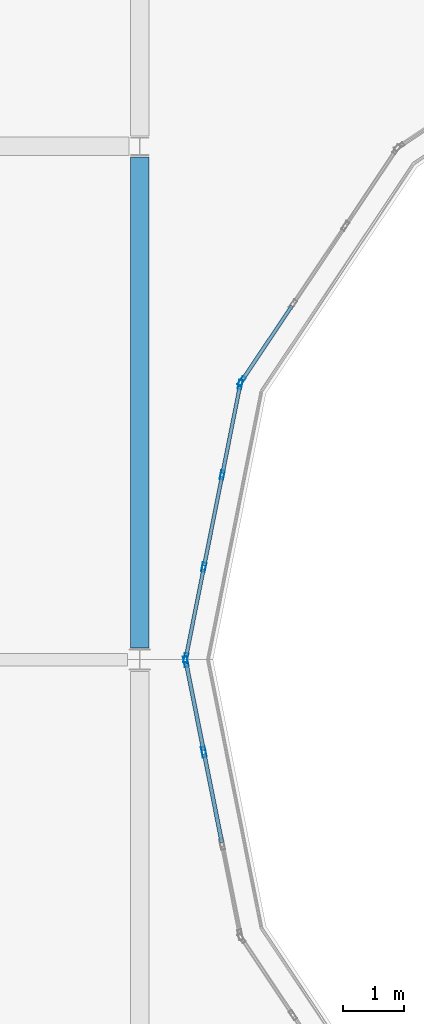
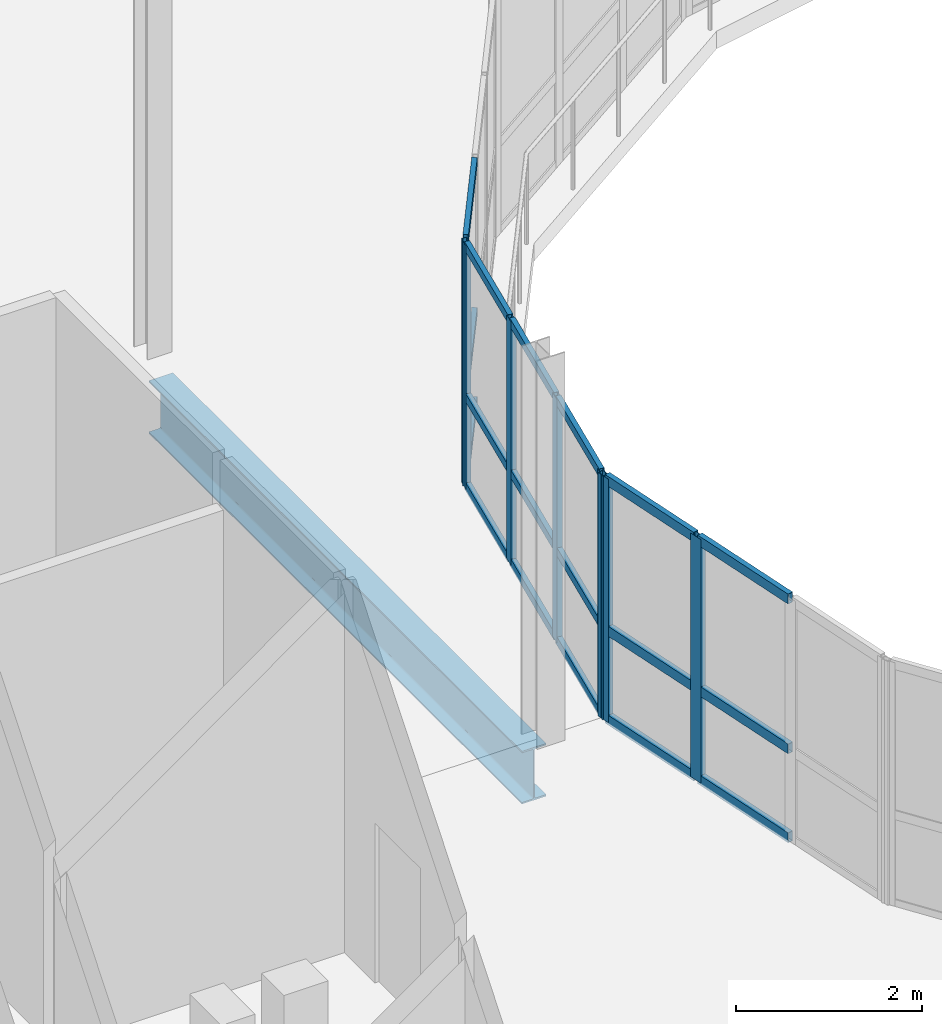
# One storey, part 19 of 91: 25 members, 1 beam, 3 elements without a shape of their own.
"""IFC4 building model written with IfcOpenShell, lengths in metres."""

from ifc_helpers import new_model, si_unit, direction, frame, origin, origin_2d, place, context, subcontext, project, spatial, hollow_rectangle, i_section, extrude, material, layer, layer_set, material_profile, profile_set, type_object, element, aggregate, save


model = new_model("IFC4")

# Units and contexts
model_context = context("Model", 3, precision=1e-05, world=origin(), true_north=direction((0.0, 1.0)))
body_context = subcontext(model_context, "Body", "Model", "MODEL_VIEW")
ifc_project = project(units=[si_unit("LENGTHUNIT", "METRE"), si_unit("AREAUNIT", "SQUARE_METRE"), si_unit("VOLUMEUNIT", "CUBIC_METRE"), si_unit("PLANEANGLEUNIT", "RADIAN"), si_unit("MASSUNIT", "GRAM", prefix="KILO"), si_unit("THERMODYNAMICTEMPERATUREUNIT", "KELVIN")], contexts=[model_context])

# Site, building, storey
site_placement = place(None, origin())
site = spatial("IfcSite", under=ifc_project, at=site_placement, CompositionType="ELEMENT")
building_placement = place(site_placement, origin())
building = spatial("IfcBuilding", under=site, at=building_placement, Name="Lustrewick Department Store", CompositionType="ELEMENT")
storey_placement = place(building_placement, frame((0.0, 0.0, 21.60009765625)))
storey = spatial("IfcBuildingStorey", under=building, at=storey_placement, Name="L05", CompositionType="ELEMENT", Elevation=21.60009765625)

# Curtain wall, members
ifc_material_1 = material(Name="Thermally broken aluminium 6063-T5", Category="aluminium")
ifc_layer_1 = layer(ifc_material_1, 0.169921875, Name="Thermally broken aluminium 6063-T5")
ifc_layer_set_1 = layer_set([ifc_layer_1], Name="Thermally broken aluminium 6063-T5")
curtain_wall_type_1 = type_object("IfcCurtainWallType", Name="CW16", PredefinedType="NOTDEFINED", material=ifc_layer_set_1)
curtain_wall_1_placement = place(storey_placement, origin())
curtain_wall_1 = element("IfcCurtainWall", 1, at=curtain_wall_1_placement, inside=storey, type_object=curtain_wall_type_1, Name="L05 Atrium Glazed Screen CW16", PredefinedType="NOTDEFINED")
ifc_material_profile_1 = material_profile(ifc_material_1, hollow_rectangle(XDim=0.06494140625, YDim=0.169921875, WallThickness=0.00390625, at=origin_2d()), Name="ALU-M 65x170x4")
ifc_profile_set_1 = profile_set([ifc_material_profile_1], Name="Thermally broken aluminium 6063-T5")
member_type_1 = type_object("IfcMemberType", Name="CW16-M1", PredefinedType="MULLION", material=ifc_profile_set_1)
member_1_placement = place(storey_placement, frame((17.556396484375, 67.168212890625, 0.0), z_axis=(0.0, 0.0, 1.0), x_axis=(0.980786430993, 0.195084537521, 0.0)))
member_1 = element("IfcMember", 2, at=member_1_placement, type_object=member_type_1, Name="CW16 mullion 1", PredefinedType="MULLION", context=body_context, shape_type="SweptSolid", body=[
    extrude(hollow_rectangle(XDim=0.06494140625, YDim=0.169921875, WallThickness=0.00390625, at=origin_2d()), origin(), (0.0, 0.0, 1.0), 3.199951171875),
])
member_2_placement = place(storey_placement, frame((17.8505859375, 65.6884765625, 0.0), z_axis=(0.0, 0.0, 1.0), x_axis=(0.980786430993, 0.195084537521, 0.0)))
member_2 = element("IfcMember", 3, at=member_2_placement, type_object=member_type_1, Name="CW16 mullion 2", PredefinedType="MULLION", context=body_context, shape_type="SweptSolid", body=[
    extrude(hollow_rectangle(XDim=0.06494140625, YDim=0.169921875, WallThickness=0.00390625, at=origin_2d()), origin(), (0.0, 0.0, 1.0), 3.199951171875),
])
ifc_material_profile_2 = material_profile(ifc_material_1, hollow_rectangle(XDim=0.06494140625, YDim=0.1298828125, WallThickness=0.00341796875, at=origin_2d()), Name="ALU-T 65x130x3.5")
ifc_profile_set_2 = profile_set([ifc_material_profile_2], Name="Thermally broken aluminium 6063-T5")
member_type_2 = type_object("IfcMemberType", Name="CW16-T1", PredefinedType="USERDEFINED", material=ifc_profile_set_2)
member_3_placement = place(storey_placement, frame((17.562744140625, 67.13623046875, 0.032470703125), z_axis=(0.19497779785, -0.980807656141, 0.0), x_axis=(0.980807656141, 0.19497779785, 0.0)))
member_3 = element("IfcMember", 4, at=member_3_placement, type_object=member_type_2, Name="CW16 transom 1.1", ObjectType="TRANSOM", PredefinedType="USERDEFINED", context=body_context, shape_type="SweptSolid", body=[
    extrude(hollow_rectangle(XDim=0.06494140625, YDim=0.1298828125, WallThickness=0.00341796875, at=origin_2d()), origin(), (0.0, 0.0, 1.0), 1.443603515625),
])
member_4_placement = place(storey_placement, frame((17.562744140625, 67.13623046875, 1.199951171875), z_axis=(0.19497779785, -0.980807656141, 0.0), x_axis=(0.980807656141, 0.19497779785, 0.0)))
member_4 = element("IfcMember", 5, at=member_4_placement, type_object=member_type_2, Name="CW16 transom 1.2", ObjectType="TRANSOM", PredefinedType="USERDEFINED", context=body_context, shape_type="SweptSolid", body=[
    extrude(hollow_rectangle(XDim=0.06494140625, YDim=0.1298828125, WallThickness=0.00341796875, at=origin_2d()), origin(), (0.0, 0.0, 1.0), 1.443603515625),
])
member_5_placement = place(storey_placement, frame((17.562744140625, 67.13623046875, 3.16748046875), z_axis=(0.19497779785, -0.980807656141, 0.0), x_axis=(0.980807656141, 0.19497779785, 0.0)))
member_5 = element("IfcMember", 6, at=member_5_placement, type_object=member_type_2, Name="CW16 transom 1.3", ObjectType="TRANSOM", PredefinedType="USERDEFINED", context=body_context, shape_type="SweptSolid", body=[
    extrude(hollow_rectangle(XDim=0.06494140625, YDim=0.1298828125, WallThickness=0.00341796875, at=origin_2d()), origin(), (0.0, 0.0, 1.0), 1.443603515625),
])
member_6_placement = place(storey_placement, frame((17.85693359375, 65.656494140625, 0.032470703125), z_axis=(0.195161861091, -0.980771047684, 0.0), x_axis=(0.980771047684, 0.195161861091, 0.0)))
member_6 = element("IfcMember", 7, at=member_6_placement, type_object=member_type_2, Name="CW16 transom 2.1", ObjectType="TRANSOM", PredefinedType="USERDEFINED", context=body_context, shape_type="SweptSolid", body=[
    extrude(hollow_rectangle(XDim=0.06494140625, YDim=0.1298828125, WallThickness=0.00341796875, at=origin_2d()), origin(), (0.0, 0.0, 1.0), 1.47607421875),
])
member_7_placement = place(storey_placement, frame((17.85693359375, 65.656494140625, 1.199951171875), z_axis=(0.195161861091, -0.980771047684, 0.0), x_axis=(0.980771047684, 0.195161861091, 0.0)))
member_7 = element("IfcMember", 8, at=member_7_placement, type_object=member_type_2, Name="CW16 transom 2.2", ObjectType="TRANSOM", PredefinedType="USERDEFINED", context=body_context, shape_type="SweptSolid", body=[
    extrude(hollow_rectangle(XDim=0.06494140625, YDim=0.1298828125, WallThickness=0.00341796875, at=origin_2d()), origin(), (0.0, 0.0, 1.0), 1.47607421875),
])
member_8_placement = place(storey_placement, frame((17.85693359375, 65.656494140625, 3.16748046875), z_axis=(0.195161861091, -0.980771047684, 0.0), x_axis=(0.980771047684, 0.195161861091, 0.0)))
member_8 = element("IfcMember", 9, at=member_8_placement, type_object=member_type_2, Name="CW16 transom 2.3", ObjectType="TRANSOM", PredefinedType="USERDEFINED", context=body_context, shape_type="SweptSolid", body=[
    extrude(hollow_rectangle(XDim=0.06494140625, YDim=0.1298828125, WallThickness=0.00341796875, at=origin_2d()), origin(), (0.0, 0.0, 1.0), 1.47607421875),
])
aggregate(curtain_wall_1, [member_1, member_2, member_3, member_4, member_5, member_6, member_7, member_8])

ifc_layer_2 = layer(ifc_material_1, 0.159912109375, Name="Thermally broken aluminium 6063-T5")
ifc_layer_set_2 = layer_set([ifc_layer_2], Name="Thermally broken aluminium 6063-T5")
curtain_wall_type_2 = type_object("IfcCurtainWallType", Name="CW17", PredefinedType="NOTDEFINED", material=ifc_layer_set_2)
curtain_wall_2_placement = place(storey_placement, origin())
curtain_wall_2 = element("IfcCurtainWall", 10, at=curtain_wall_2_placement, inside=storey, type_object=curtain_wall_type_2, Name="L05 Atrium Glazed Screen CW17", PredefinedType="NOTDEFINED")
ifc_material_profile_3 = material_profile(ifc_material_1, hollow_rectangle(XDim=0.06005859375, YDim=0.159912109375, WallThickness=0.00390625, at=origin_2d()), Name="ALU-M 60x160x4")
ifc_profile_set_3 = profile_set([ifc_material_profile_3], Name="Thermally broken aluminium 6063-T5")
member_type_3 = type_object("IfcMemberType", Name="CW17-M1", PredefinedType="MULLION", material=ifc_profile_set_3)
member_9_placement = place(storey_placement, frame((18.46875, 71.759765625, 0.0), z_axis=(0.0, 0.0, 1.0), x_axis=(0.831464212799, -0.555578313862, 0.0)))
member_9 = element("IfcMember", 11, at=member_9_placement, type_object=member_type_3, Name="CW17 mullion 4", PredefinedType="MULLION", context=body_context, shape_type="SweptSolid", body=[
    extrude(hollow_rectangle(XDim=0.06005859375, YDim=0.159912109375, WallThickness=0.00390625, at=origin_2d()), origin(), (0.0, 0.0, 1.0), 3.199951171875),
])
ifc_material_profile_4 = material_profile(ifc_material_1, hollow_rectangle(XDim=0.06005859375, YDim=0.1201171875, WallThickness=0.00341796875, at=origin_2d()), Name="ALU-T 60x120x3.5")
ifc_profile_set_4 = profile_set([ifc_material_profile_4], Name="Thermally broken aluminium 6063-T5")
member_type_4 = type_object("IfcMemberType", Name="CW17-T1", PredefinedType="USERDEFINED", material=ifc_profile_set_4)
member_10_placement = place(storey_placement, frame((19.29150390625, 72.9912109375, 0.02978515625), z_axis=(-0.555554084832, -0.83148040195, 0.0), x_axis=(0.83148040195, -0.555554084832, 0.0)))
member_10 = element("IfcMember", 12, at=member_10_placement, type_object=member_type_4, Name="CW17 transom 3.1", ObjectType="TRANSOM", PredefinedType="USERDEFINED", context=body_context, shape_type="SweptSolid", body=[
    extrude(hollow_rectangle(XDim=0.06005859375, YDim=0.1201171875, WallThickness=0.00341796875, at=origin_2d()), origin(), (0.0, 0.0, 1.0), 1.451171875),
])
member_11_placement = place(storey_placement, frame((19.29150390625, 72.9912109375, 1.199951171875), z_axis=(-0.555554084832, -0.83148040195, 0.0), x_axis=(0.83148040195, -0.555554084832, 0.0)))
member_11 = element("IfcMember", 13, at=member_11_placement, type_object=member_type_4, Name="CW17 transom 3.2", ObjectType="TRANSOM", PredefinedType="USERDEFINED", context=body_context, shape_type="SweptSolid", body=[
    extrude(hollow_rectangle(XDim=0.06005859375, YDim=0.1201171875, WallThickness=0.00341796875, at=origin_2d()), origin(), (0.0, 0.0, 1.0), 1.451171875),
])
member_12_placement = place(storey_placement, frame((19.29150390625, 72.9912109375, 3.169921875), z_axis=(-0.555554084832, -0.83148040195, 0.0), x_axis=(0.83148040195, -0.555554084832, 0.0)))
member_12 = element("IfcMember", 14, at=member_12_placement, type_object=member_type_4, Name="CW17 transom 3.3", ObjectType="TRANSOM", PredefinedType="USERDEFINED", context=body_context, shape_type="SweptSolid", body=[
    extrude(hollow_rectangle(XDim=0.06005859375, YDim=0.1201171875, WallThickness=0.00341796875, at=origin_2d()), origin(), (0.0, 0.0, 1.0), 1.451171875),
])
aggregate(curtain_wall_2, [member_9, member_10, member_11, member_12])

ifc_layer_3 = layer(ifc_material_1, 0.14990234375, Name="Thermally broken aluminium 6063-T5")
ifc_layer_set_3 = layer_set([ifc_layer_3], Name="Thermally broken aluminium 6063-T5")
curtain_wall_type_3 = type_object("IfcCurtainWallType", Name="CW18", PredefinedType="NOTDEFINED", material=ifc_layer_set_3)
curtain_wall_3_placement = place(storey_placement, origin())
curtain_wall_3 = element("IfcCurtainWall", 15, at=curtain_wall_3_placement, inside=storey, type_object=curtain_wall_type_3, Name="L05 Atrium Glazed Screen CW18", PredefinedType="NOTDEFINED")
ifc_material_profile_5 = material_profile(ifc_material_1, hollow_rectangle(XDim=0.06005859375, YDim=0.14990234375, WallThickness=0.00341796875, at=origin_2d()), Name="ALU-M 60x150x3.5")
ifc_profile_set_5 = profile_set([ifc_material_profile_5], Name="Thermally broken aluminium 6063-T5")
member_type_5 = type_object("IfcMemberType", Name="CW18-M1", PredefinedType="MULLION", material=ifc_profile_set_5)
member_13_placement = place(storey_placement, frame((18.446044921875, 71.705322265625, 0.0), z_axis=(0.0, 0.0, 1.0), x_axis=(0.980786430993, -0.195084537521, 0.0)))
member_13 = element("IfcMember", 16, at=member_13_placement, type_object=member_type_5, Name="CW18 mullion 1", PredefinedType="MULLION", context=body_context, shape_type="SweptSolid", body=[
    extrude(hollow_rectangle(XDim=0.06005859375, YDim=0.14990234375, WallThickness=0.00341796875, at=origin_2d()), origin(), (0.0, 0.0, 1.0), 3.199951171875),
])
member_14_placement = place(storey_placement, frame((18.1513671875, 70.22314453125, 0.0), z_axis=(0.0, 0.0, 1.0), x_axis=(0.980786430993, -0.195084537521, 0.0)))
member_14 = element("IfcMember", 17, at=member_14_placement, type_object=member_type_5, Name="CW18 mullion 2", PredefinedType="MULLION", context=body_context, shape_type="SweptSolid", body=[
    extrude(hollow_rectangle(XDim=0.06005859375, YDim=0.14990234375, WallThickness=0.00341796875, at=origin_2d()), origin(), (0.0, 0.0, 1.0), 3.199951171875),
])
member_15_placement = place(storey_placement, frame((17.8505859375, 68.711669921875, 0.0), z_axis=(0.0, 0.0, 1.0), x_axis=(0.980786430993, -0.195084537521, 0.0)))
member_15 = element("IfcMember", 18, at=member_15_placement, type_object=member_type_5, Name="CW18 mullion 3", PredefinedType="MULLION", context=body_context, shape_type="SweptSolid", body=[
    extrude(hollow_rectangle(XDim=0.06005859375, YDim=0.14990234375, WallThickness=0.00341796875, at=origin_2d()), origin(), (0.0, 0.0, 1.0), 3.199951171875),
])
member_16_placement = place(storey_placement, frame((17.555908203125, 67.2294921875, 0.0), z_axis=(0.0, 0.0, 1.0), x_axis=(0.980786430993, -0.195084537521, 0.0)))
member_16 = element("IfcMember", 19, at=member_16_placement, type_object=member_type_5, Name="CW18 mullion 4", PredefinedType="MULLION", context=body_context, shape_type="SweptSolid", body=[
    extrude(hollow_rectangle(XDim=0.06005859375, YDim=0.14990234375, WallThickness=0.00341796875, at=origin_2d()), origin(), (0.0, 0.0, 1.0), 3.199951171875),
])
ifc_material_profile_6 = material_profile(ifc_material_1, hollow_rectangle(XDim=0.06005859375, YDim=0.110107421875, WallThickness=0.0029296875, at=origin_2d()), Name="ALU-T 60x110x3")
ifc_profile_set_6 = profile_set([ifc_material_profile_6], Name="Thermally broken aluminium 6063-T5")
member_type_6 = type_object("IfcMemberType", Name="CW18-T1", PredefinedType="USERDEFINED", material=ifc_profile_set_6)
member_17_placement = place(storey_placement, frame((18.440185546875, 71.676025390625, 0.02978515625), z_axis=(-0.194983657525, -0.98080649126, 0.0), x_axis=(0.98080649126, -0.194983657525, 0.0)))
member_17 = element("IfcMember", 20, at=member_17_placement, type_object=member_type_6, Name="CW18 transom 1.1", ObjectType="TRANSOM", PredefinedType="USERDEFINED", context=body_context, shape_type="SweptSolid", body=[
    extrude(hollow_rectangle(XDim=0.06005859375, YDim=0.110107421875, WallThickness=0.0029296875, at=origin_2d()), origin(), (0.0, 0.0, 1.0), 1.451171875),
])
member_18_placement = place(storey_placement, frame((18.440185546875, 71.676025390625, 1.199951171875), z_axis=(-0.194983657525, -0.98080649126, 0.0), x_axis=(0.98080649126, -0.194983657525, 0.0)))
member_18 = element("IfcMember", 21, at=member_18_placement, type_object=member_type_6, Name="CW18 transom 1.2", ObjectType="TRANSOM", PredefinedType="USERDEFINED", context=body_context, shape_type="SweptSolid", body=[
    extrude(hollow_rectangle(XDim=0.06005859375, YDim=0.110107421875, WallThickness=0.0029296875, at=origin_2d()), origin(), (0.0, 0.0, 1.0), 1.451171875),
])
member_19_placement = place(storey_placement, frame((18.440185546875, 71.676025390625, 3.169921875), z_axis=(-0.194983657525, -0.98080649126, 0.0), x_axis=(0.98080649126, -0.194983657525, 0.0)))
member_19 = element("IfcMember", 22, at=member_19_placement, type_object=member_type_6, Name="CW18 transom 1.3", ObjectType="TRANSOM", PredefinedType="USERDEFINED", context=body_context, shape_type="SweptSolid", body=[
    extrude(hollow_rectangle(XDim=0.06005859375, YDim=0.110107421875, WallThickness=0.0029296875, at=origin_2d()), origin(), (0.0, 0.0, 1.0), 1.451171875),
])
member_20_placement = place(storey_placement, frame((18.1455078125, 70.19384765625, 0.02978515625), z_axis=(-0.195133523177, -0.980776686169, 0.0), x_axis=(0.980776686169, -0.195133523177, 0.0)))
member_20 = element("IfcMember", 23, at=member_20_placement, type_object=member_type_6, Name="CW18 transom 2.1", ObjectType="TRANSOM", PredefinedType="USERDEFINED", context=body_context, shape_type="SweptSolid", body=[
    extrude(hollow_rectangle(XDim=0.06005859375, YDim=0.110107421875, WallThickness=0.0029296875, at=origin_2d()), origin(), (0.0, 0.0, 1.0), 1.4814453125),
])
member_21_placement = place(storey_placement, frame((18.1455078125, 70.19384765625, 1.199951171875), z_axis=(-0.195133523177, -0.980776686169, 0.0), x_axis=(0.980776686169, -0.195133523177, 0.0)))
member_21 = element("IfcMember", 24, at=member_21_placement, type_object=member_type_6, Name="CW18 transom 2.2", ObjectType="TRANSOM", PredefinedType="USERDEFINED", context=body_context, shape_type="SweptSolid", body=[
    extrude(hollow_rectangle(XDim=0.06005859375, YDim=0.110107421875, WallThickness=0.0029296875, at=origin_2d()), origin(), (0.0, 0.0, 1.0), 1.4814453125),
])
member_22_placement = place(storey_placement, frame((18.1455078125, 70.19384765625, 3.169921875), z_axis=(-0.195133523177, -0.980776686169, 0.0), x_axis=(0.980776686169, -0.195133523177, 0.0)))
member_22 = element("IfcMember", 25, at=member_22_placement, type_object=member_type_6, Name="CW18 transom 2.3", ObjectType="TRANSOM", PredefinedType="USERDEFINED", context=body_context, shape_type="SweptSolid", body=[
    extrude(hollow_rectangle(XDim=0.06005859375, YDim=0.110107421875, WallThickness=0.0029296875, at=origin_2d()), origin(), (0.0, 0.0, 1.0), 1.4814453125),
])
member_23_placement = place(storey_placement, frame((17.8447265625, 68.68212890625, 0.02978515625), z_axis=(-0.194983657525, -0.98080649126, 0.0), x_axis=(0.98080649126, -0.194983657525, 0.0)))
member_23 = element("IfcMember", 26, at=member_23_placement, type_object=member_type_6, Name="CW18 transom 3.1", ObjectType="TRANSOM", PredefinedType="USERDEFINED", context=body_context, shape_type="SweptSolid", body=[
    extrude(hollow_rectangle(XDim=0.06005859375, YDim=0.110107421875, WallThickness=0.0029296875, at=origin_2d()), origin(), (0.0, 0.0, 1.0), 1.451171875),
])
member_24_placement = place(storey_placement, frame((17.8447265625, 68.68212890625, 1.199951171875), z_axis=(-0.194983657525, -0.98080649126, 0.0), x_axis=(0.98080649126, -0.194983657525, 0.0)))
member_24 = element("IfcMember", 27, at=member_24_placement, type_object=member_type_6, Name="CW18 transom 3.2", ObjectType="TRANSOM", PredefinedType="USERDEFINED", context=body_context, shape_type="SweptSolid", body=[
    extrude(hollow_rectangle(XDim=0.06005859375, YDim=0.110107421875, WallThickness=0.0029296875, at=origin_2d()), origin(), (0.0, 0.0, 1.0), 1.451171875),
])
member_25_placement = place(storey_placement, frame((17.8447265625, 68.68212890625, 3.169921875), z_axis=(-0.194983657525, -0.98080649126, 0.0), x_axis=(0.98080649126, -0.194983657525, 0.0)))
member_25 = element("IfcMember", 28, at=member_25_placement, type_object=member_type_6, Name="CW18 transom 3.3", ObjectType="TRANSOM", PredefinedType="USERDEFINED", context=body_context, shape_type="SweptSolid", body=[
    extrude(hollow_rectangle(XDim=0.06005859375, YDim=0.110107421875, WallThickness=0.0029296875, at=origin_2d()), origin(), (0.0, 0.0, 1.0), 1.451171875),
])
aggregate(curtain_wall_3, [member_13, member_14, member_15, member_16, member_17, member_18, member_19, member_20, member_21, member_22, member_23, member_24, member_25])

# Beam
ifc_material_2 = material(Name="Structural steel Q355B", Category="steel")
ifc_material_profile_7 = material_profile(ifc_material_2, i_section(OverallWidth=0.300048828125, OverallDepth=0.69189453125, WebThickness=0.012939453125, FlangeThickness=0.02001953125, FilletRadius=0.02001953125, at=origin_2d()), Name="HN 692x300x13x20")
ifc_profile_set_7 = profile_set([ifc_material_profile_7], Name="Structural steel Q355B")
beam_type = type_object("IfcBeamType", Name="G09", PredefinedType="BEAM", material=ifc_profile_set_7)
beam_placement = place(storey_placement, frame((16.800048828125, 67.39404296875, -0.60107421875), z_axis=(0.0, 1.0, 0.0), x_axis=(-1.0, 0.0, 0.0)))
element("IfcBeam", 29, at=beam_placement, inside=storey, type_object=beam_type, Name="L05 V1 Girder G09", PredefinedType="BEAM", context=body_context, shape_type="SweptSolid", body=[
    extrude(i_section(OverallWidth=0.300048828125, OverallDepth=0.69189453125, WebThickness=0.012939453125, FlangeThickness=0.02001953125, FilletRadius=0.02001953125, at=origin_2d()), origin(), (0.0, 0.0, 1.0), 8.031005859375),
])

save(model, "model.ifc")
